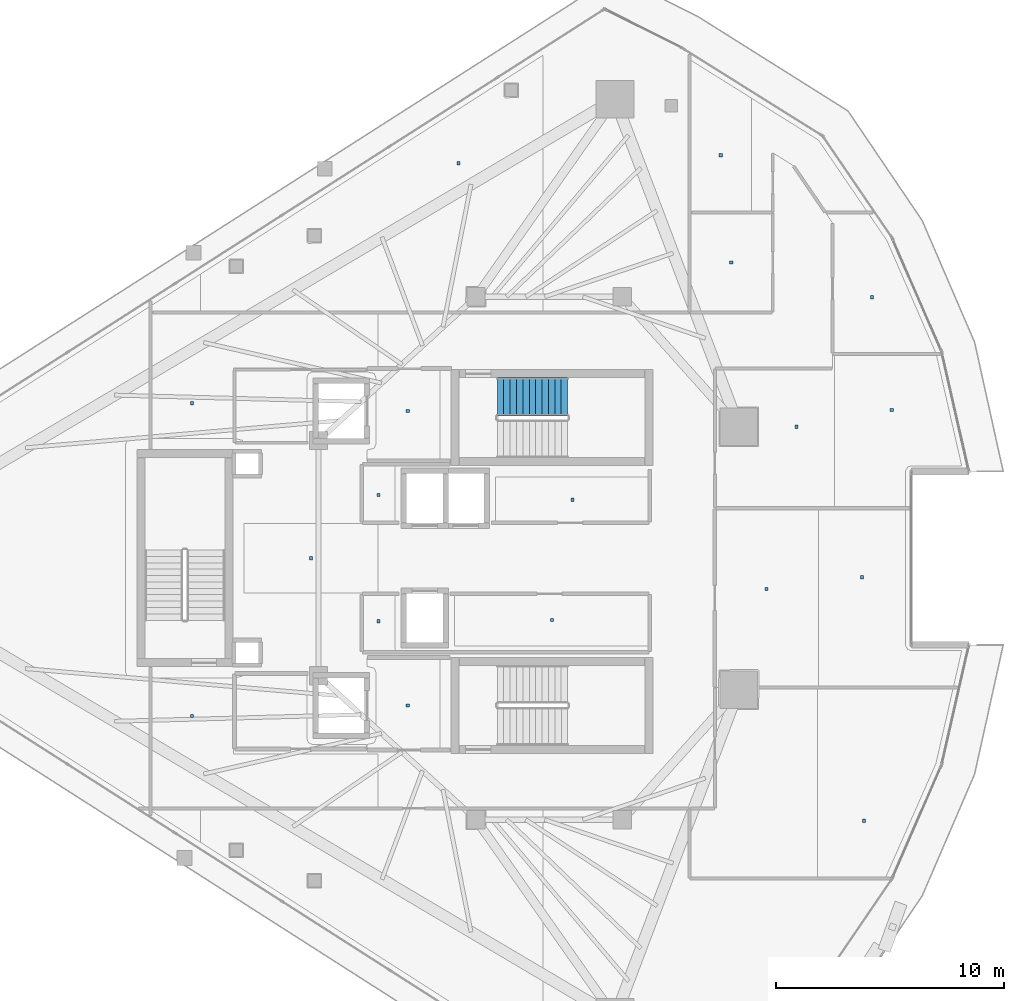
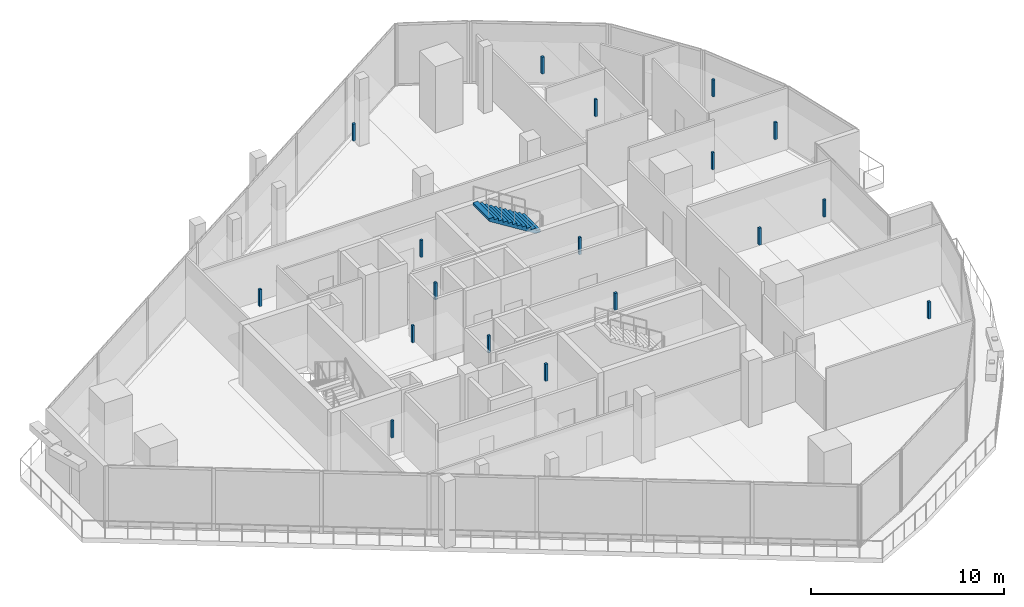
# One storey, part 27 of 34: 18 discrete accessories, 1 stair flight, 1 element without a shape of its own.
"""IFC4 building model written with IfcOpenShell, lengths in metres."""

from ifc_helpers import new_model, si_unit, direction, frame, origin, origin_2d, place, context, subcontext, project, spatial, polyline, rectangle, outline, extrude, material, layer, layer_set, type_object, element, aggregate, save


model = new_model("IFC4")

# Units and contexts
model_context = context("Model", 3, precision=1e-05, world=origin(), true_north=direction((0.0, 1.0)))
body_context = subcontext(model_context, "Body", "Model", "MODEL_VIEW")
ifc_project = project(units=[si_unit("LENGTHUNIT", "METRE"), si_unit("AREAUNIT", "SQUARE_METRE"), si_unit("VOLUMEUNIT", "CUBIC_METRE"), si_unit("PLANEANGLEUNIT", "RADIAN"), si_unit("MASSUNIT", "GRAM", prefix="KILO")], contexts=[model_context])

# Site, building, storey
site_placement = place(None, origin())
site = spatial("IfcSite", under=ifc_project, at=site_placement, CompositionType="ELEMENT")
building_placement = place(site_placement, origin())
building = spatial("IfcBuilding", under=site, at=building_placement, Name="Qorvath Tower", CompositionType="ELEMENT")
storey_placement = place(building_placement, frame((0.0, 0.0, 268.199951171875)))
storey = spatial("IfcBuildingStorey", under=building, at=storey_placement, Name="L62", CompositionType="ELEMENT", Elevation=268.199951171875)

# Stair, stair flight
ifc_material_1 = material(Name="Concrete C50/60", Category="concrete")
stair_type = type_object("IfcStairType", Name="ST-H420", PredefinedType="HALF_TURN_STAIR", material=ifc_material_1)
stair_placement = place(storey_placement, origin())
stair = element("IfcStair", 1, at=stair_placement, inside=storey, type_object=stair_type, Name="L62 Tower Exit Stair 1", PredefinedType="HALF_TURN_STAIR")
ifc_material_2 = material(Name="Concrete C50/60", Category="concrete")
ifc_layer = layer(ifc_material_2, 0.14990234375)
ifc_layer_set = layer_set([ifc_layer], Name="SF-H420")
stair_flight_type = type_object("IfcStairFlightType", Name="SF-H420", PredefinedType="STRAIGHT", material=ifc_layer_set)
stair_flight_placement = place(storey_placement, frame((-19.590087890625, 7.070068359375, 2.10009765625), z_axis=(0.0, 0.0, 1.0), x_axis=(-1.0, 0.0, 0.0)))
stair_flight = element("IfcStairFlight", 2, at=stair_flight_placement, type_object=stair_flight_type, Name="TS1 flight 2", NumberOfRisers=12, NumberOfTreads=11, PredefinedType="STRAIGHT", RiserHeight=0.175, TreadLength=0.28, context=body_context, shape_type="SweptSolid", body=[
    extrude(outline(polyline([(0.0, 0.0), (0.0, 0.175048828125), (0.280029296875, 0.175048828125), (0.280029296875, 0.35009765625), (0.56005859375, 0.35009765625), (0.56005859375, 0.52490234375), (0.840087890625, 0.52490234375), (0.840087890625, 0.699951171875), (1.1201171875, 0.699951171875), (1.1201171875, 0.875), (1.39990234375, 0.875), (1.39990234375, 1.050048828125), (1.679931640625, 1.050048828125), (1.679931640625, 1.22509765625), (1.9599609375, 1.22509765625), (1.9599609375, 1.39990234375), (2.239990234375, 1.39990234375), (2.239990234375, 1.574951171875), (2.52001953125, 1.574951171875), (2.52001953125, 1.75), (2.800048828125, 1.75), (2.800048828125, 1.925048828125), (3.080078125, 1.925048828125), (3.080078125, 2.10009765625), (3.080078125, 1.748291015625), (0.28271484375, 0.0), (0.0, 0.0)])), frame((0.0, 0.83984375, 0.0), z_axis=(0.0, -1.0, 0.0), x_axis=(1.0, 0.0, 0.0)), (0.0, 0.0, 1.0), 1.679931640625),
])
aggregate(stair, [stair_flight])

# Discrete accessories
ifc_material_3 = material(Name="Galvanised steel bracket", Category="steel")
discrete_accessory_type = type_object("IfcDiscreteAccessoryType", Name="DA-BRACKET", PredefinedType="BRACKET", material=ifc_material_3)
for number, where, z_axis, x_axis, name in (
    (3, (-26.590087890625, 6.449951171875, 2.860107421875), (0.0, 0.0, 1.0), (1.0, 0.0, 0.0), "Acoustic Ceiling Suspension Hanger T1-L62-001"),
    (4, (-26.590087890625, -6.449951171875, 2.860107421875), (0.0, 0.0, 1.0), (1.0, 0.0, 0.0), "Acoustic Ceiling Suspension Hanger T1-L62-002"),
    (5, (-19.37255859375, 2.5625, 2.860107421875), (0.0, 0.0, 1.0), (1.0, 0.0, 0.0), "Acoustic Ceiling Suspension Hanger T1-L62-003"),
    (6, (-27.87744140625, 2.762451171875, 2.860107421875), (0.0, 0.0, 1.0), (1.0, 0.0, 0.0), "Acoustic Ceiling Suspension Hanger T1-L62-004"),
    (7, (-20.2724609375, -2.70751953125, 2.860107421875), (0.0, 0.0, 1.0), (1.0, 0.0, 0.0), "Acoustic Ceiling Suspension Hanger T1-L62-005"),
    (8, (-27.87744140625, -2.762451171875, 2.860107421875), (0.0, 0.0, 1.0), (1.0, 0.0, 0.0), "Acoustic Ceiling Suspension Hanger T1-L62-006"),
    (9, (-36.04150390625, -6.907958984375, 2.860107421875), (0.0, 0.0, 1.0), (1.0, 0.0, 0.0), "Acoustic Ceiling Suspension Hanger T1-L62-009"),
    (10, (-36.040283203125, 6.782470703125, 2.860107421875), (0.0, 0.0, 1.0), (1.0, 0.0, 0.0), "Acoustic Ceiling Suspension Hanger T1-L62-010"),
    (11, (-30.8291015625, 0.0, 2.860107421875), (0.0, 0.0, 1.0), (1.0, 0.0, 0.0), "Acoustic Ceiling Suspension Hanger T1-L62-011"),
    (12, (-24.370361328125, 17.30078125, 2.860107421875), (0.0, 0.0, 1.0), (1.0, 0.0, 0.0), "Acoustic Ceiling Suspension Hanger T1-L62-013"),
    (13, (-6.614013671875, -11.50048828125, 2.860107421875), (0.0, 0.0, 1.0), (1.0, 0.0, 0.0), "Acoustic Ceiling Suspension Hanger T1-L62-016"),
    (14, (-10.875, -1.346923828125, 2.860107421875), (0.0, 0.0, 1.0), (1.0, 0.0, 0.0), "Acoustic Ceiling Suspension Hanger T1-L62-017"),
    (15, (-6.7021484375, -0.830322265625, 2.860107421875), (0.0, 0.0, 1.0), (1.0, 0.0, 0.0), "Acoustic Ceiling Suspension Hanger T1-L62-018"),
    (16, (-9.569091796875, 5.7578125, 2.860107421875), (0.0, 0.0, 1.0), (1.0, 0.0, 0.0), "Acoustic Ceiling Suspension Hanger T1-L62-019"),
    (17, (-5.3994140625, 6.491943359375, 2.860107421875), (0.0, 0.0, 1.0), (1.0, 0.0, 0.0), "Acoustic Ceiling Suspension Hanger T1-L62-020"),
    (18, (-6.25830078125, 11.430419921875, 2.860107421875), (0.0, 0.0, 1.0), (1.0, 0.0, 0.0), "Acoustic Ceiling Suspension Hanger T1-L62-021"),
    (19, (-12.425048828125, 12.94580078125, 2.860107421875), (0.0, 0.0, 1.0), (1.0, 0.0, 0.0), "Acoustic Ceiling Suspension Hanger T1-L62-022"),
    (20, (-12.88427734375, 17.64404296875, 2.860107421875), (0.0, 0.0, 1.0), (1.0, 0.0, 0.0), "Acoustic Ceiling Suspension Hanger T1-L62-023"),
):
    element("IfcDiscreteAccessory", number, at=place(storey_placement, frame(where, z_axis=z_axis, x_axis=x_axis)), inside=storey, type_object=discrete_accessory_type, Name=name, PredefinedType="NOTDEFINED", context=body_context, shape_type="SweptSolid", body=[
        extrude(rectangle(XDim=0.139892578125, YDim=0.139892578125, at=origin_2d()), origin(), (0.0, 0.0, 1.0), 1.080078125),
    ])

save(model, "model.ifc")
